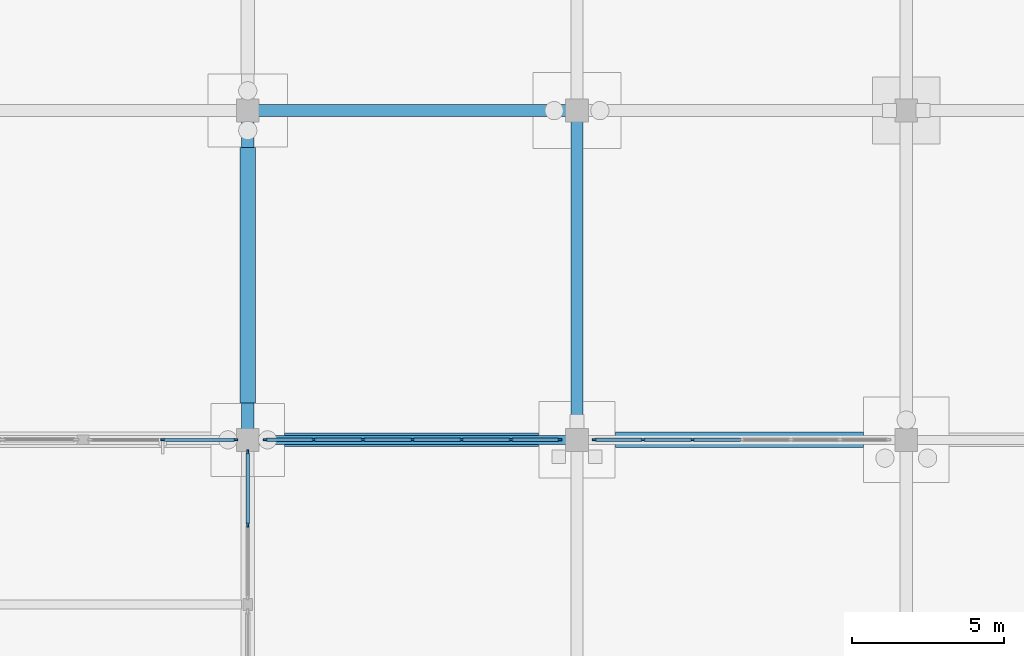
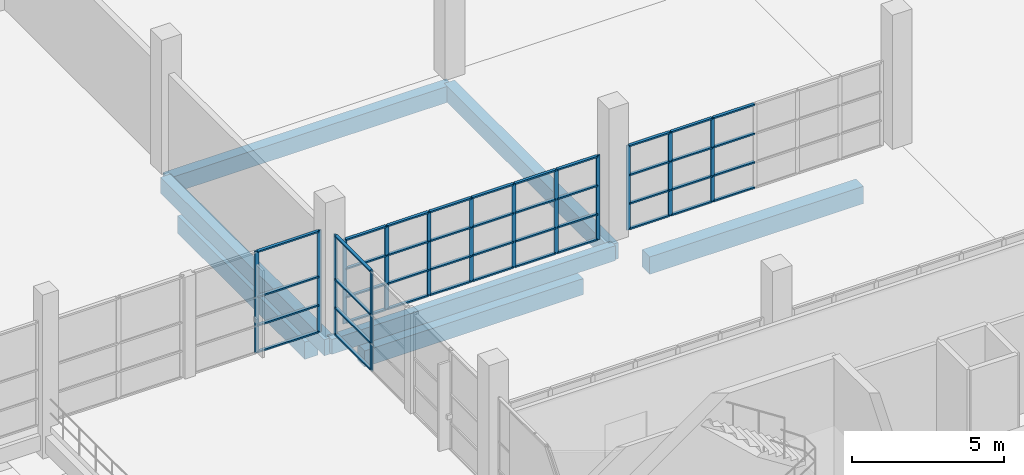
# One storey, part 49 of 138: 58 members, 7 beams, 4 elements without a shape of their own.
"""IFC4 building model written with IfcOpenShell, lengths in metres."""

from ifc_helpers import new_model, si_unit, direction, frame, origin, origin_2d, place, context, subcontext, project, spatial, rectangle, extrude, material, material_profile, profile_set, type_object, element, aggregate, save


model = new_model("IFC4")

# Units and contexts
model_context = context("Model", 3, precision=1e-05, world=origin(), true_north=direction((0.0, 1.0)))
body_context = subcontext(model_context, "Body", "Model", "MODEL_VIEW")
ifc_project = project(units=[si_unit("LENGTHUNIT", "METRE"), si_unit("AREAUNIT", "SQUARE_METRE"), si_unit("VOLUMEUNIT", "CUBIC_METRE"), si_unit("PLANEANGLEUNIT", "RADIAN"), si_unit("MASSUNIT", "GRAM", prefix="KILO")], contexts=[model_context])

# Site, building, storey
site_placement = place(None, origin())
site = spatial("IfcSite", under=ifc_project, at=site_placement, CompositionType="ELEMENT")
building_placement = place(site_placement, origin())
building = spatial("IfcBuilding", under=site, at=building_placement, Name="Zwinboog Wholesale Market", CompositionType="ELEMENT")
storey_placement = place(building_placement, origin())
storey = spatial("IfcBuildingStorey", under=building, at=storey_placement, Name="L00", CompositionType="ELEMENT", Elevation=0.0)

# Beams
ifc_material_1 = material(Name="Precast concrete C45/55", Category="concrete")
ifc_material_profile_1 = material_profile(ifc_material_1, rectangle(XDim=0.39990234375, YDim=0.64990234375, at=origin_2d()), Name="PC 400x650")
ifc_profile_set_1 = profile_set([ifc_material_profile_1], Name="Precast concrete C45/55")
beam_type_1 = type_object("IfcBeamType", Name="BT-05", PredefinedType="BEAM", material=ifc_profile_set_1)
for number, where, z_axis, x_axis, name in (
    (1, (64.800048828125, 75.60009765625, -0.719970703125), (1.0, 0.0, 0.0), (0.0, 1.0, 0.0), "BG-05 (BMG-L00-0648-0756-0105)"),
    (2, (64.800048828125, 64.800048828125, -0.719970703125), (0.0, 1.0, 0.0), (-1.0, 0.0, 0.0), "BG-05 (BMG-L00-0648-0648-0279)"),
    (3, (75.60009765625, 64.800048828125, -0.719970703125), (0.0, 1.0, 0.0), (-1.0, 0.0, 0.0), "BG-05 (BMG-L00-0756-0648-0287)"),
):
    element("IfcBeam", number, at=place(storey_placement, frame(where, z_axis=z_axis, x_axis=x_axis)), inside=storey, type_object=beam_type_1, Name=name, PredefinedType="BEAM", context=body_context, shape_type="SweptSolid", body=[
        extrude(rectangle(XDim=0.39990234375, YDim=0.64990234375, at=origin_2d()), origin(), (0.0, 0.0, 1.0), 10.800048828125),
    ])
ifc_material_profile_2 = material_profile(ifc_material_1, rectangle(XDim=0.300048828125, YDim=0.60009765625, at=origin_2d()), Name="PC 300x600")
ifc_profile_set_2 = profile_set([ifc_material_profile_2], Name="Precast concrete C45/55")
beam_type_2 = type_object("IfcBeamType", Name="BT-09", PredefinedType="SPANDREL", material=ifc_profile_set_2)
beam_1_placement = place(storey_placement, frame((64.800048828125, 64.800048828125, -0.6650390625), z_axis=(1.0, 0.0, 0.0), x_axis=(0.0, 1.0, 0.0)))
element("IfcBeam", 4, at=beam_1_placement, inside=storey, type_object=beam_type_2, Name="SP-02 (BMG-L00-0648-0648-0089)", PredefinedType="SPANDREL", context=body_context, shape_type="SweptSolid", body=[
    extrude(rectangle(XDim=0.300048828125, YDim=0.60009765625, at=origin_2d()), origin(), (0.0, 0.0, 1.0), 10.800048828125),
])
ifc_material_2 = material(Name="Concrete C35/45", Category="concrete")
ifc_material_profile_3 = material_profile(ifc_material_2, rectangle(XDim=0.5, YDim=0.699951171875, at=origin_2d()), Name="RC 500x700")
ifc_profile_set_3 = profile_set([ifc_material_profile_3], Name="Concrete C35/45")
beam_type_3 = type_object("IfcBeamType", Name="BT-12", PredefinedType="USERDEFINED", material=ifc_profile_set_3)
beam_2_placement = place(storey_placement, frame((76.85498046875, 64.800048828125, -1.550048828125), z_axis=(1.0, 0.0, 0.0), x_axis=(0.0, 1.0, 0.0)))
element("IfcBeam", 5, at=beam_2_placement, inside=storey, type_object=beam_type_3, Name="GB-01 (BM-GB-0057)", ObjectType="GROUND_BEAM", PredefinedType="USERDEFINED", context=body_context, shape_type="SweptSolid", body=[
    extrude(rectangle(XDim=0.5, YDim=0.699951171875, at=origin_2d()), origin(), (0.0, 0.0, 1.0), 8.14013671875),
])
beam_3_placement = place(storey_placement, frame((64.800048828125, 66.0048828125, -1.550048828125), z_axis=(0.0, 1.0, 0.0), x_axis=(-1.0, 0.0, 0.0)))
element("IfcBeam", 6, at=beam_3_placement, inside=storey, type_object=beam_type_3, Name="GB-01 (BM-GB-0154)", ObjectType="GROUND_BEAM", PredefinedType="USERDEFINED", context=body_context, shape_type="SweptSolid", body=[
    extrude(rectangle(XDim=0.5, YDim=0.699951171875, at=origin_2d()), origin(), (0.0, 0.0, 1.0), 8.39013671875),
])
ifc_material_profile_4 = material_profile(ifc_material_2, rectangle(XDim=0.449951171875, YDim=0.64990234375, at=origin_2d()), Name="RC 450x650")
ifc_profile_set_4 = profile_set([ifc_material_profile_4], Name="Concrete C35/45")
beam_type_4 = type_object("IfcBeamType", Name="BT-13", PredefinedType="USERDEFINED", material=ifc_profile_set_4)
beam_4_placement = place(storey_placement, frame((66.0048828125, 64.800048828125, -1.52490234375), z_axis=(1.0, 0.0, 0.0), x_axis=(0.0, 1.0, 0.0)))
element("IfcBeam", 7, at=beam_4_placement, inside=storey, type_object=beam_type_4, Name="GB-02 (BM-GB-0056)", ObjectType="GROUND_BEAM", PredefinedType="USERDEFINED", context=body_context, shape_type="SweptSolid", body=[
    extrude(rectangle(XDim=0.449951171875, YDim=0.64990234375, at=origin_2d()), origin(), (0.0, 0.0, 1.0), 8.340087890625),
])

# Curtain wall, members
ifc_material_3 = material(Name="Aluminium thermally broken curtain wall", Category="aluminium")
curtain_wall_type_1 = type_object("IfcCurtainWallType", Name="CWT-OFF-15", PredefinedType="USERDEFINED", material=ifc_material_3)
curtain_wall_1_placement = place(storey_placement, origin())
curtain_wall_1 = element("IfcCurtainWall", 8, at=curtain_wall_1_placement, inside=storey, type_object=curtain_wall_type_1, Name="CW-06 (CW-L00-030)", ObjectType="UNITIZED_CURTAIN_WALL", PredefinedType="USERDEFINED")
ifc_material_4 = material(Name="Aluminium EN AW-6060", Category="aluminium")
ifc_material_profile_5 = material_profile(ifc_material_4, rectangle(XDim=0.06005859375, YDim=0.14990234375, at=origin_2d()), Name="AL 60x150")
ifc_profile_set_5 = profile_set([ifc_material_profile_5], Name="Aluminium EN AW-6060")
member_type_1 = type_object("IfcMemberType", Name="CWM-60x150", PredefinedType="MULLION", material=ifc_profile_set_5)
member_1_placement = place(storey_placement, frame((62.014892578125, 64.800048828125, 0.0), z_axis=(0.0, 0.0, 1.0), x_axis=(0.0, 1.0, 0.0)))
member_1 = element("IfcMember", 9, at=member_1_placement, type_object=member_type_1, Name="CW-06 mullion 2", PredefinedType="MULLION", context=body_context, shape_type="SweptSolid", body=[
    extrude(rectangle(XDim=0.06005859375, YDim=0.14990234375, at=origin_2d()), origin(), (0.0, 0.0, 1.0), 4.097900390625),
])
member_2_placement = place(storey_placement, frame((64.39990234375, 64.800048828125, 0.0), z_axis=(0.0, 0.0, 1.0), x_axis=(0.0, 1.0, 0.0)))
member_2 = element("IfcMember", 10, at=member_2_placement, type_object=member_type_1, Name="CW-06 mullion 3", PredefinedType="MULLION", context=body_context, shape_type="SweptSolid", body=[
    extrude(rectangle(XDim=0.06005859375, YDim=0.14990234375, at=origin_2d()), origin(), (0.0, 0.0, 1.0), 4.097900390625),
])

curtain_wall_type_2 = type_object("IfcCurtainWallType", Name="CWT-GAL-16", PredefinedType="USERDEFINED", material=ifc_material_3)
curtain_wall_2_placement = place(storey_placement, origin())
curtain_wall_2 = element("IfcCurtainWall", 11, at=curtain_wall_2_placement, inside=storey, type_object=curtain_wall_type_2, Name="CW-04 (CW-L00-034)", ObjectType="UNITIZED_CURTAIN_WALL", PredefinedType="USERDEFINED")
member_3_placement = place(storey_placement, frame((64.800048828125, 62.014892578125, 0.0), z_axis=(0.0, 0.0, 1.0), x_axis=(-1.0, 0.0, 0.0)))
member_3 = element("IfcMember", 12, at=member_3_placement, type_object=member_type_1, Name="CW-04 mullion 2", PredefinedType="MULLION", context=body_context, shape_type="SweptSolid", body=[
    extrude(rectangle(XDim=0.06005859375, YDim=0.14990234375, at=origin_2d()), origin(), (0.0, 0.0, 1.0), 4.02490234375),
])
member_4_placement = place(storey_placement, frame((64.800048828125, 64.39990234375, 0.0), z_axis=(0.0, 0.0, 1.0), x_axis=(-1.0, 0.0, 0.0)))
member_4 = element("IfcMember", 13, at=member_4_placement, type_object=member_type_1, Name="CW-04 mullion 3", PredefinedType="MULLION", context=body_context, shape_type="SweptSolid", body=[
    extrude(rectangle(XDim=0.06005859375, YDim=0.14990234375, at=origin_2d()), origin(), (0.0, 0.0, 1.0), 4.02490234375),
])

# Member
ifc_material_profile_6 = material_profile(ifc_material_4, rectangle(XDim=0.110107421875, YDim=0.06005859375, at=origin_2d()), Name="AL 60x110")
ifc_profile_set_6 = profile_set([ifc_material_profile_6], Name="Aluminium EN AW-6060")
member_type_2 = type_object("IfcMemberType", Name="CWT-60x110", PredefinedType="USERDEFINED", material=ifc_profile_set_6)
member_5_placement = place(storey_placement, frame((62.044921875, 64.800048828125, 0.030029296875), z_axis=(1.0, 0.0, 0.0), x_axis=(0.0, 1.0, 0.0)))
member_5 = element("IfcMember", 14, at=member_5_placement, type_object=member_type_2, Name="CW-06 transom 2.1", ObjectType="TRANSOM", PredefinedType="USERDEFINED", context=body_context, shape_type="SweptSolid", body=[
    extrude(rectangle(XDim=0.110107421875, YDim=0.06005859375, at=origin_2d()), origin(), (0.0, 0.0, 1.0), 2.3251953125),
])

member_6_placement = place(storey_placement, frame((62.044921875, 64.800048828125, 1.10009765625), z_axis=(1.0, 0.0, 0.0), x_axis=(0.0, 1.0, 0.0)))
member_6 = element("IfcMember", 15, at=member_6_placement, type_object=member_type_2, Name="CW-06 transom 2.2", ObjectType="TRANSOM", PredefinedType="USERDEFINED", context=body_context, shape_type="SweptSolid", body=[
    extrude(rectangle(XDim=0.110107421875, YDim=0.06005859375, at=origin_2d()), origin(), (0.0, 0.0, 1.0), 2.3251953125),
])

member_7_placement = place(storey_placement, frame((62.044921875, 64.800048828125, 2.25), z_axis=(1.0, 0.0, 0.0), x_axis=(0.0, 1.0, 0.0)))
member_7 = element("IfcMember", 16, at=member_7_placement, type_object=member_type_2, Name="CW-06 transom 2.3", ObjectType="TRANSOM", PredefinedType="USERDEFINED", context=body_context, shape_type="SweptSolid", body=[
    extrude(rectangle(XDim=0.110107421875, YDim=0.06005859375, at=origin_2d()), origin(), (0.0, 0.0, 1.0), 2.3251953125),
])

member_8_placement = place(storey_placement, frame((62.044921875, 64.800048828125, 4.068115234375), z_axis=(1.0, 0.0, 0.0), x_axis=(0.0, 1.0, 0.0)))
member_8 = element("IfcMember", 17, at=member_8_placement, type_object=member_type_2, Name="CW-06 transom 2.4", ObjectType="TRANSOM", PredefinedType="USERDEFINED", context=body_context, shape_type="SweptSolid", body=[
    extrude(rectangle(XDim=0.110107421875, YDim=0.06005859375, at=origin_2d()), origin(), (0.0, 0.0, 1.0), 2.3251953125),
])

aggregate(curtain_wall_1, [member_1, member_2, member_5, member_6, member_7, member_8])

member_9_placement = place(storey_placement, frame((64.800048828125, 62.044921875, 0.030029296875), z_axis=(0.0, 1.0, 0.0), x_axis=(-1.0, 0.0, 0.0)))
member_9 = element("IfcMember", 18, at=member_9_placement, type_object=member_type_2, Name="CW-04 transom 2.1", ObjectType="TRANSOM", PredefinedType="USERDEFINED", context=body_context, shape_type="SweptSolid", body=[
    extrude(rectangle(XDim=0.110107421875, YDim=0.06005859375, at=origin_2d()), origin(), (0.0, 0.0, 1.0), 2.3251953125),
])

member_10_placement = place(storey_placement, frame((64.800048828125, 62.044921875, 1.10009765625), z_axis=(0.0, 1.0, 0.0), x_axis=(-1.0, 0.0, 0.0)))
member_10 = element("IfcMember", 19, at=member_10_placement, type_object=member_type_2, Name="CW-04 transom 2.2", ObjectType="TRANSOM", PredefinedType="USERDEFINED", context=body_context, shape_type="SweptSolid", body=[
    extrude(rectangle(XDim=0.110107421875, YDim=0.06005859375, at=origin_2d()), origin(), (0.0, 0.0, 1.0), 2.3251953125),
])

member_11_placement = place(storey_placement, frame((64.800048828125, 62.044921875, 2.25), z_axis=(0.0, 1.0, 0.0), x_axis=(-1.0, 0.0, 0.0)))
member_11 = element("IfcMember", 20, at=member_11_placement, type_object=member_type_2, Name="CW-04 transom 2.3", ObjectType="TRANSOM", PredefinedType="USERDEFINED", context=body_context, shape_type="SweptSolid", body=[
    extrude(rectangle(XDim=0.110107421875, YDim=0.06005859375, at=origin_2d()), origin(), (0.0, 0.0, 1.0), 2.3251953125),
])

member_12_placement = place(storey_placement, frame((64.800048828125, 62.044921875, 3.9951171875), z_axis=(0.0, 1.0, 0.0), x_axis=(-1.0, 0.0, 0.0)))
member_12 = element("IfcMember", 21, at=member_12_placement, type_object=member_type_2, Name="CW-04 transom 2.4", ObjectType="TRANSOM", PredefinedType="USERDEFINED", context=body_context, shape_type="SweptSolid", body=[
    extrude(rectangle(XDim=0.110107421875, YDim=0.06005859375, at=origin_2d()), origin(), (0.0, 0.0, 1.0), 2.3251953125),
])

aggregate(curtain_wall_2, [member_3, member_4, member_9, member_10, member_11, member_12])

# Curtain wall, members
curtain_wall_type_3 = type_object("IfcCurtainWallType", Name="CWT-INT-STALL", PredefinedType="USERDEFINED", material=ifc_material_3)
curtain_wall_3_placement = place(storey_placement, origin())
curtain_wall_3 = element("IfcCurtainWall", 22, at=curtain_wall_3_placement, inside=storey, type_object=curtain_wall_type_3, Name="CW-07 (CW-STL-191)", ObjectType="STOREFRONT_GLAZING", PredefinedType="USERDEFINED")
ifc_material_profile_7 = material_profile(ifc_material_4, rectangle(XDim=0.06005859375, YDim=0.14990234375, at=origin_2d()), Name="AL 60x150")
ifc_profile_set_7 = profile_set([ifc_material_profile_7], Name="Aluminium EN AW-6060")
member_type_3 = type_object("IfcMemberType", Name="CWM-INT-60x120", PredefinedType="MULLION", material=ifc_profile_set_7)
member_13_placement = place(storey_placement, frame((65.3798828125, 64.800048828125, 0.0), z_axis=(0.0, 0.0, 1.0), x_axis=(0.0, 1.0, 0.0)))
member_13 = element("IfcMember", 23, at=member_13_placement, type_object=member_type_3, Name="CW-07 mullion 1", PredefinedType="MULLION", context=body_context, shape_type="SweptSolid", body=[
    extrude(rectangle(XDim=0.06005859375, YDim=0.14990234375, at=origin_2d()), origin(), (0.0, 0.0, 1.0), 3.39990234375),
])
member_14_placement = place(storey_placement, frame((66.966552734375, 64.800048828125, 0.0), z_axis=(0.0, 0.0, 1.0), x_axis=(0.0, 1.0, 0.0)))
member_14 = element("IfcMember", 24, at=member_14_placement, type_object=member_type_3, Name="CW-07 mullion 2", PredefinedType="MULLION", context=body_context, shape_type="SweptSolid", body=[
    extrude(rectangle(XDim=0.06005859375, YDim=0.14990234375, at=origin_2d()), origin(), (0.0, 0.0, 1.0), 3.39990234375),
])
member_15_placement = place(storey_placement, frame((68.583251953125, 64.800048828125, 0.0), z_axis=(0.0, 0.0, 1.0), x_axis=(0.0, 1.0, 0.0)))
member_15 = element("IfcMember", 25, at=member_15_placement, type_object=member_type_3, Name="CW-07 mullion 3", PredefinedType="MULLION", context=body_context, shape_type="SweptSolid", body=[
    extrude(rectangle(XDim=0.06005859375, YDim=0.14990234375, at=origin_2d()), origin(), (0.0, 0.0, 1.0), 3.39990234375),
])
member_16_placement = place(storey_placement, frame((70.199951171875, 64.800048828125, 0.0), z_axis=(0.0, 0.0, 1.0), x_axis=(0.0, 1.0, 0.0)))
member_16 = element("IfcMember", 26, at=member_16_placement, type_object=member_type_3, Name="CW-07 mullion 4", PredefinedType="MULLION", context=body_context, shape_type="SweptSolid", body=[
    extrude(rectangle(XDim=0.06005859375, YDim=0.14990234375, at=origin_2d()), origin(), (0.0, 0.0, 1.0), 3.39990234375),
])
member_17_placement = place(storey_placement, frame((71.816650390625, 64.800048828125, 0.0), z_axis=(0.0, 0.0, 1.0), x_axis=(0.0, 1.0, 0.0)))
member_17 = element("IfcMember", 27, at=member_17_placement, type_object=member_type_3, Name="CW-07 mullion 5", PredefinedType="MULLION", context=body_context, shape_type="SweptSolid", body=[
    extrude(rectangle(XDim=0.06005859375, YDim=0.14990234375, at=origin_2d()), origin(), (0.0, 0.0, 1.0), 3.39990234375),
])
member_18_placement = place(storey_placement, frame((73.433349609375, 64.800048828125, 0.0), z_axis=(0.0, 0.0, 1.0), x_axis=(0.0, 1.0, 0.0)))
member_18 = element("IfcMember", 28, at=member_18_placement, type_object=member_type_3, Name="CW-07 mullion 6", PredefinedType="MULLION", context=body_context, shape_type="SweptSolid", body=[
    extrude(rectangle(XDim=0.06005859375, YDim=0.14990234375, at=origin_2d()), origin(), (0.0, 0.0, 1.0), 3.39990234375),
])
member_19_placement = place(storey_placement, frame((75.02001953125, 64.800048828125, 0.0), z_axis=(0.0, 0.0, 1.0), x_axis=(0.0, 1.0, 0.0)))
member_19 = element("IfcMember", 29, at=member_19_placement, type_object=member_type_3, Name="CW-07 mullion 7", PredefinedType="MULLION", context=body_context, shape_type="SweptSolid", body=[
    extrude(rectangle(XDim=0.06005859375, YDim=0.14990234375, at=origin_2d()), origin(), (0.0, 0.0, 1.0), 3.39990234375),
])

curtain_wall_4_placement = place(storey_placement, origin())
curtain_wall_4 = element("IfcCurtainWall", 30, at=curtain_wall_4_placement, inside=storey, type_object=curtain_wall_type_3, Name="CW-07 (CW-STL-192)", ObjectType="STOREFRONT_GLAZING", PredefinedType="USERDEFINED")
member_20_placement = place(storey_placement, frame((76.179931640625, 64.800048828125, 0.0), z_axis=(0.0, 0.0, 1.0), x_axis=(0.0, 1.0, 0.0)))
member_20 = element("IfcMember", 31, at=member_20_placement, type_object=member_type_3, Name="CW-07 mullion 1", PredefinedType="MULLION", context=body_context, shape_type="SweptSolid", body=[
    extrude(rectangle(XDim=0.06005859375, YDim=0.14990234375, at=origin_2d()), origin(), (0.0, 0.0, 1.0), 3.39990234375),
])
member_21_placement = place(storey_placement, frame((77.7666015625, 64.800048828125, 0.0), z_axis=(0.0, 0.0, 1.0), x_axis=(0.0, 1.0, 0.0)))
member_21 = element("IfcMember", 32, at=member_21_placement, type_object=member_type_3, Name="CW-07 mullion 2", PredefinedType="MULLION", context=body_context, shape_type="SweptSolid", body=[
    extrude(rectangle(XDim=0.06005859375, YDim=0.14990234375, at=origin_2d()), origin(), (0.0, 0.0, 1.0), 3.39990234375),
])
member_22_placement = place(storey_placement, frame((79.38330078125, 64.800048828125, 0.0), z_axis=(0.0, 0.0, 1.0), x_axis=(0.0, 1.0, 0.0)))
member_22 = element("IfcMember", 33, at=member_22_placement, type_object=member_type_3, Name="CW-07 mullion 3", PredefinedType="MULLION", context=body_context, shape_type="SweptSolid", body=[
    extrude(rectangle(XDim=0.06005859375, YDim=0.14990234375, at=origin_2d()), origin(), (0.0, 0.0, 1.0), 3.39990234375),
])

# Member
ifc_material_profile_8 = material_profile(ifc_material_4, rectangle(XDim=0.110107421875, YDim=0.06005859375, at=origin_2d()), Name="AL 60x110")
ifc_profile_set_8 = profile_set([ifc_material_profile_8], Name="Aluminium EN AW-6060")
member_type_4 = type_object("IfcMemberType", Name="CWT-INT-60x100", PredefinedType="USERDEFINED", material=ifc_profile_set_8)
member_23_placement = place(storey_placement, frame((65.409912109375, 64.800048828125, 0.030029296875), z_axis=(1.0, 0.0, 0.0), x_axis=(0.0, 1.0, 0.0)))
member_23 = element("IfcMember", 34, at=member_23_placement, type_object=member_type_4, Name="CW-07 transom 1.1", ObjectType="TRANSOM", PredefinedType="USERDEFINED", context=body_context, shape_type="SweptSolid", body=[
    extrude(rectangle(XDim=0.110107421875, YDim=0.06005859375, at=origin_2d()), origin(), (0.0, 0.0, 1.0), 1.52685546875),
])

member_24_placement = place(storey_placement, frame((65.409912109375, 64.800048828125, 1.050048828125), z_axis=(1.0, 0.0, 0.0), x_axis=(0.0, 1.0, 0.0)))
member_24 = element("IfcMember", 35, at=member_24_placement, type_object=member_type_4, Name="CW-07 transom 1.2", ObjectType="TRANSOM", PredefinedType="USERDEFINED", context=body_context, shape_type="SweptSolid", body=[
    extrude(rectangle(XDim=0.110107421875, YDim=0.06005859375, at=origin_2d()), origin(), (0.0, 0.0, 1.0), 1.52685546875),
])

member_25_placement = place(storey_placement, frame((65.409912109375, 64.800048828125, 2.199951171875), z_axis=(1.0, 0.0, 0.0), x_axis=(0.0, 1.0, 0.0)))
member_25 = element("IfcMember", 36, at=member_25_placement, type_object=member_type_4, Name="CW-07 transom 1.3", ObjectType="TRANSOM", PredefinedType="USERDEFINED", context=body_context, shape_type="SweptSolid", body=[
    extrude(rectangle(XDim=0.110107421875, YDim=0.06005859375, at=origin_2d()), origin(), (0.0, 0.0, 1.0), 1.52685546875),
])

member_26_placement = place(storey_placement, frame((65.409912109375, 64.800048828125, 3.3701171875), z_axis=(1.0, 0.0, 0.0), x_axis=(0.0, 1.0, 0.0)))
member_26 = element("IfcMember", 37, at=member_26_placement, type_object=member_type_4, Name="CW-07 transom 1.4", ObjectType="TRANSOM", PredefinedType="USERDEFINED", context=body_context, shape_type="SweptSolid", body=[
    extrude(rectangle(XDim=0.110107421875, YDim=0.06005859375, at=origin_2d()), origin(), (0.0, 0.0, 1.0), 1.52685546875),
])

member_27_placement = place(storey_placement, frame((66.99658203125, 64.800048828125, 0.030029296875), z_axis=(1.0, 0.0, 0.0), x_axis=(0.0, 1.0, 0.0)))
member_27 = element("IfcMember", 38, at=member_27_placement, type_object=member_type_4, Name="CW-07 transom 2.1", ObjectType="TRANSOM", PredefinedType="USERDEFINED", context=body_context, shape_type="SweptSolid", body=[
    extrude(rectangle(XDim=0.110107421875, YDim=0.06005859375, at=origin_2d()), origin(), (0.0, 0.0, 1.0), 1.556640625),
])

member_28_placement = place(storey_placement, frame((66.99658203125, 64.800048828125, 1.050048828125), z_axis=(1.0, 0.0, 0.0), x_axis=(0.0, 1.0, 0.0)))
member_28 = element("IfcMember", 39, at=member_28_placement, type_object=member_type_4, Name="CW-07 transom 2.2", ObjectType="TRANSOM", PredefinedType="USERDEFINED", context=body_context, shape_type="SweptSolid", body=[
    extrude(rectangle(XDim=0.110107421875, YDim=0.06005859375, at=origin_2d()), origin(), (0.0, 0.0, 1.0), 1.556640625),
])

member_29_placement = place(storey_placement, frame((66.99658203125, 64.800048828125, 2.199951171875), z_axis=(1.0, 0.0, 0.0), x_axis=(0.0, 1.0, 0.0)))
member_29 = element("IfcMember", 40, at=member_29_placement, type_object=member_type_4, Name="CW-07 transom 2.3", ObjectType="TRANSOM", PredefinedType="USERDEFINED", context=body_context, shape_type="SweptSolid", body=[
    extrude(rectangle(XDim=0.110107421875, YDim=0.06005859375, at=origin_2d()), origin(), (0.0, 0.0, 1.0), 1.556640625),
])

member_30_placement = place(storey_placement, frame((66.99658203125, 64.800048828125, 3.3701171875), z_axis=(1.0, 0.0, 0.0), x_axis=(0.0, 1.0, 0.0)))
member_30 = element("IfcMember", 41, at=member_30_placement, type_object=member_type_4, Name="CW-07 transom 2.4", ObjectType="TRANSOM", PredefinedType="USERDEFINED", context=body_context, shape_type="SweptSolid", body=[
    extrude(rectangle(XDim=0.110107421875, YDim=0.06005859375, at=origin_2d()), origin(), (0.0, 0.0, 1.0), 1.556640625),
])

member_31_placement = place(storey_placement, frame((68.61328125, 64.800048828125, 0.030029296875), z_axis=(1.0, 0.0, 0.0), x_axis=(0.0, 1.0, 0.0)))
member_31 = element("IfcMember", 42, at=member_31_placement, type_object=member_type_4, Name="CW-07 transom 3.1", ObjectType="TRANSOM", PredefinedType="USERDEFINED", context=body_context, shape_type="SweptSolid", body=[
    extrude(rectangle(XDim=0.110107421875, YDim=0.06005859375, at=origin_2d()), origin(), (0.0, 0.0, 1.0), 1.556640625),
])

member_32_placement = place(storey_placement, frame((68.61328125, 64.800048828125, 1.050048828125), z_axis=(1.0, 0.0, 0.0), x_axis=(0.0, 1.0, 0.0)))
member_32 = element("IfcMember", 43, at=member_32_placement, type_object=member_type_4, Name="CW-07 transom 3.2", ObjectType="TRANSOM", PredefinedType="USERDEFINED", context=body_context, shape_type="SweptSolid", body=[
    extrude(rectangle(XDim=0.110107421875, YDim=0.06005859375, at=origin_2d()), origin(), (0.0, 0.0, 1.0), 1.556640625),
])

member_33_placement = place(storey_placement, frame((68.61328125, 64.800048828125, 2.199951171875), z_axis=(1.0, 0.0, 0.0), x_axis=(0.0, 1.0, 0.0)))
member_33 = element("IfcMember", 44, at=member_33_placement, type_object=member_type_4, Name="CW-07 transom 3.3", ObjectType="TRANSOM", PredefinedType="USERDEFINED", context=body_context, shape_type="SweptSolid", body=[
    extrude(rectangle(XDim=0.110107421875, YDim=0.06005859375, at=origin_2d()), origin(), (0.0, 0.0, 1.0), 1.556640625),
])

member_34_placement = place(storey_placement, frame((68.61328125, 64.800048828125, 3.3701171875), z_axis=(1.0, 0.0, 0.0), x_axis=(0.0, 1.0, 0.0)))
member_34 = element("IfcMember", 45, at=member_34_placement, type_object=member_type_4, Name="CW-07 transom 3.4", ObjectType="TRANSOM", PredefinedType="USERDEFINED", context=body_context, shape_type="SweptSolid", body=[
    extrude(rectangle(XDim=0.110107421875, YDim=0.06005859375, at=origin_2d()), origin(), (0.0, 0.0, 1.0), 1.556640625),
])

member_35_placement = place(storey_placement, frame((70.22998046875, 64.800048828125, 0.030029296875), z_axis=(1.0, 0.0, 0.0), x_axis=(0.0, 1.0, 0.0)))
member_35 = element("IfcMember", 46, at=member_35_placement, type_object=member_type_4, Name="CW-07 transom 4.1", ObjectType="TRANSOM", PredefinedType="USERDEFINED", context=body_context, shape_type="SweptSolid", body=[
    extrude(rectangle(XDim=0.110107421875, YDim=0.06005859375, at=origin_2d()), origin(), (0.0, 0.0, 1.0), 1.556640625),
])

member_36_placement = place(storey_placement, frame((70.22998046875, 64.800048828125, 1.050048828125), z_axis=(1.0, 0.0, 0.0), x_axis=(0.0, 1.0, 0.0)))
member_36 = element("IfcMember", 47, at=member_36_placement, type_object=member_type_4, Name="CW-07 transom 4.2", ObjectType="TRANSOM", PredefinedType="USERDEFINED", context=body_context, shape_type="SweptSolid", body=[
    extrude(rectangle(XDim=0.110107421875, YDim=0.06005859375, at=origin_2d()), origin(), (0.0, 0.0, 1.0), 1.556640625),
])

member_37_placement = place(storey_placement, frame((70.22998046875, 64.800048828125, 2.199951171875), z_axis=(1.0, 0.0, 0.0), x_axis=(0.0, 1.0, 0.0)))
member_37 = element("IfcMember", 48, at=member_37_placement, type_object=member_type_4, Name="CW-07 transom 4.3", ObjectType="TRANSOM", PredefinedType="USERDEFINED", context=body_context, shape_type="SweptSolid", body=[
    extrude(rectangle(XDim=0.110107421875, YDim=0.06005859375, at=origin_2d()), origin(), (0.0, 0.0, 1.0), 1.556640625),
])

member_38_placement = place(storey_placement, frame((70.22998046875, 64.800048828125, 3.3701171875), z_axis=(1.0, 0.0, 0.0), x_axis=(0.0, 1.0, 0.0)))
member_38 = element("IfcMember", 49, at=member_38_placement, type_object=member_type_4, Name="CW-07 transom 4.4", ObjectType="TRANSOM", PredefinedType="USERDEFINED", context=body_context, shape_type="SweptSolid", body=[
    extrude(rectangle(XDim=0.110107421875, YDim=0.06005859375, at=origin_2d()), origin(), (0.0, 0.0, 1.0), 1.556640625),
])

member_39_placement = place(storey_placement, frame((71.8466796875, 64.800048828125, 0.030029296875), z_axis=(1.0, 0.0, 0.0), x_axis=(0.0, 1.0, 0.0)))
member_39 = element("IfcMember", 50, at=member_39_placement, type_object=member_type_4, Name="CW-07 transom 5.1", ObjectType="TRANSOM", PredefinedType="USERDEFINED", context=body_context, shape_type="SweptSolid", body=[
    extrude(rectangle(XDim=0.110107421875, YDim=0.06005859375, at=origin_2d()), origin(), (0.0, 0.0, 1.0), 1.556640625),
])

member_40_placement = place(storey_placement, frame((71.8466796875, 64.800048828125, 1.050048828125), z_axis=(1.0, 0.0, 0.0), x_axis=(0.0, 1.0, 0.0)))
member_40 = element("IfcMember", 51, at=member_40_placement, type_object=member_type_4, Name="CW-07 transom 5.2", ObjectType="TRANSOM", PredefinedType="USERDEFINED", context=body_context, shape_type="SweptSolid", body=[
    extrude(rectangle(XDim=0.110107421875, YDim=0.06005859375, at=origin_2d()), origin(), (0.0, 0.0, 1.0), 1.556640625),
])

member_41_placement = place(storey_placement, frame((71.8466796875, 64.800048828125, 2.199951171875), z_axis=(1.0, 0.0, 0.0), x_axis=(0.0, 1.0, 0.0)))
member_41 = element("IfcMember", 52, at=member_41_placement, type_object=member_type_4, Name="CW-07 transom 5.3", ObjectType="TRANSOM", PredefinedType="USERDEFINED", context=body_context, shape_type="SweptSolid", body=[
    extrude(rectangle(XDim=0.110107421875, YDim=0.06005859375, at=origin_2d()), origin(), (0.0, 0.0, 1.0), 1.556640625),
])

member_42_placement = place(storey_placement, frame((71.8466796875, 64.800048828125, 3.3701171875), z_axis=(1.0, 0.0, 0.0), x_axis=(0.0, 1.0, 0.0)))
member_42 = element("IfcMember", 53, at=member_42_placement, type_object=member_type_4, Name="CW-07 transom 5.4", ObjectType="TRANSOM", PredefinedType="USERDEFINED", context=body_context, shape_type="SweptSolid", body=[
    extrude(rectangle(XDim=0.110107421875, YDim=0.06005859375, at=origin_2d()), origin(), (0.0, 0.0, 1.0), 1.556640625),
])

member_43_placement = place(storey_placement, frame((73.46337890625, 64.800048828125, 0.030029296875), z_axis=(1.0, 0.0, 0.0), x_axis=(0.0, 1.0, 0.0)))
member_43 = element("IfcMember", 54, at=member_43_placement, type_object=member_type_4, Name="CW-07 transom 6.1", ObjectType="TRANSOM", PredefinedType="USERDEFINED", context=body_context, shape_type="SweptSolid", body=[
    extrude(rectangle(XDim=0.110107421875, YDim=0.06005859375, at=origin_2d()), origin(), (0.0, 0.0, 1.0), 1.526611328125),
])

member_44_placement = place(storey_placement, frame((73.46337890625, 64.800048828125, 1.050048828125), z_axis=(1.0, 0.0, 0.0), x_axis=(0.0, 1.0, 0.0)))
member_44 = element("IfcMember", 55, at=member_44_placement, type_object=member_type_4, Name="CW-07 transom 6.2", ObjectType="TRANSOM", PredefinedType="USERDEFINED", context=body_context, shape_type="SweptSolid", body=[
    extrude(rectangle(XDim=0.110107421875, YDim=0.06005859375, at=origin_2d()), origin(), (0.0, 0.0, 1.0), 1.526611328125),
])

member_45_placement = place(storey_placement, frame((73.46337890625, 64.800048828125, 2.199951171875), z_axis=(1.0, 0.0, 0.0), x_axis=(0.0, 1.0, 0.0)))
member_45 = element("IfcMember", 56, at=member_45_placement, type_object=member_type_4, Name="CW-07 transom 6.3", ObjectType="TRANSOM", PredefinedType="USERDEFINED", context=body_context, shape_type="SweptSolid", body=[
    extrude(rectangle(XDim=0.110107421875, YDim=0.06005859375, at=origin_2d()), origin(), (0.0, 0.0, 1.0), 1.526611328125),
])

member_46_placement = place(storey_placement, frame((73.46337890625, 64.800048828125, 3.3701171875), z_axis=(1.0, 0.0, 0.0), x_axis=(0.0, 1.0, 0.0)))
member_46 = element("IfcMember", 57, at=member_46_placement, type_object=member_type_4, Name="CW-07 transom 6.4", ObjectType="TRANSOM", PredefinedType="USERDEFINED", context=body_context, shape_type="SweptSolid", body=[
    extrude(rectangle(XDim=0.110107421875, YDim=0.06005859375, at=origin_2d()), origin(), (0.0, 0.0, 1.0), 1.526611328125),
])

aggregate(curtain_wall_3, [member_13, member_14, member_15, member_16, member_17, member_18, member_19, member_23, member_24, member_25, member_26, member_27, member_28, member_29, member_30, member_31, member_32, member_33, member_34, member_35, member_36, member_37, member_38, member_39, member_40, member_41, member_42, member_43, member_44, member_45, member_46])

member_47_placement = place(storey_placement, frame((76.2099609375, 64.800048828125, 0.030029296875), z_axis=(1.0, 0.0, 0.0), x_axis=(0.0, 1.0, 0.0)))
member_47 = element("IfcMember", 58, at=member_47_placement, type_object=member_type_4, Name="CW-07 transom 1.1", ObjectType="TRANSOM", PredefinedType="USERDEFINED", context=body_context, shape_type="SweptSolid", body=[
    extrude(rectangle(XDim=0.110107421875, YDim=0.06005859375, at=origin_2d()), origin(), (0.0, 0.0, 1.0), 1.526611328125),
])

member_48_placement = place(storey_placement, frame((76.2099609375, 64.800048828125, 1.050048828125), z_axis=(1.0, 0.0, 0.0), x_axis=(0.0, 1.0, 0.0)))
member_48 = element("IfcMember", 59, at=member_48_placement, type_object=member_type_4, Name="CW-07 transom 1.2", ObjectType="TRANSOM", PredefinedType="USERDEFINED", context=body_context, shape_type="SweptSolid", body=[
    extrude(rectangle(XDim=0.110107421875, YDim=0.06005859375, at=origin_2d()), origin(), (0.0, 0.0, 1.0), 1.526611328125),
])

member_49_placement = place(storey_placement, frame((76.2099609375, 64.800048828125, 2.199951171875), z_axis=(1.0, 0.0, 0.0), x_axis=(0.0, 1.0, 0.0)))
member_49 = element("IfcMember", 60, at=member_49_placement, type_object=member_type_4, Name="CW-07 transom 1.3", ObjectType="TRANSOM", PredefinedType="USERDEFINED", context=body_context, shape_type="SweptSolid", body=[
    extrude(rectangle(XDim=0.110107421875, YDim=0.06005859375, at=origin_2d()), origin(), (0.0, 0.0, 1.0), 1.526611328125),
])

member_50_placement = place(storey_placement, frame((76.2099609375, 64.800048828125, 3.3701171875), z_axis=(1.0, 0.0, 0.0), x_axis=(0.0, 1.0, 0.0)))
member_50 = element("IfcMember", 61, at=member_50_placement, type_object=member_type_4, Name="CW-07 transom 1.4", ObjectType="TRANSOM", PredefinedType="USERDEFINED", context=body_context, shape_type="SweptSolid", body=[
    extrude(rectangle(XDim=0.110107421875, YDim=0.06005859375, at=origin_2d()), origin(), (0.0, 0.0, 1.0), 1.526611328125),
])

member_51_placement = place(storey_placement, frame((77.796630859375, 64.800048828125, 0.030029296875), z_axis=(1.0, 0.0, 0.0), x_axis=(0.0, 1.0, 0.0)))
member_51 = element("IfcMember", 62, at=member_51_placement, type_object=member_type_4, Name="CW-07 transom 2.1", ObjectType="TRANSOM", PredefinedType="USERDEFINED", context=body_context, shape_type="SweptSolid", body=[
    extrude(rectangle(XDim=0.110107421875, YDim=0.06005859375, at=origin_2d()), origin(), (0.0, 0.0, 1.0), 1.556640625),
])

member_52_placement = place(storey_placement, frame((77.796630859375, 64.800048828125, 1.050048828125), z_axis=(1.0, 0.0, 0.0), x_axis=(0.0, 1.0, 0.0)))
member_52 = element("IfcMember", 63, at=member_52_placement, type_object=member_type_4, Name="CW-07 transom 2.2", ObjectType="TRANSOM", PredefinedType="USERDEFINED", context=body_context, shape_type="SweptSolid", body=[
    extrude(rectangle(XDim=0.110107421875, YDim=0.06005859375, at=origin_2d()), origin(), (0.0, 0.0, 1.0), 1.556640625),
])

member_53_placement = place(storey_placement, frame((77.796630859375, 64.800048828125, 2.199951171875), z_axis=(1.0, 0.0, 0.0), x_axis=(0.0, 1.0, 0.0)))
member_53 = element("IfcMember", 64, at=member_53_placement, type_object=member_type_4, Name="CW-07 transom 2.3", ObjectType="TRANSOM", PredefinedType="USERDEFINED", context=body_context, shape_type="SweptSolid", body=[
    extrude(rectangle(XDim=0.110107421875, YDim=0.06005859375, at=origin_2d()), origin(), (0.0, 0.0, 1.0), 1.556640625),
])

member_54_placement = place(storey_placement, frame((77.796630859375, 64.800048828125, 3.3701171875), z_axis=(1.0, 0.0, 0.0), x_axis=(0.0, 1.0, 0.0)))
member_54 = element("IfcMember", 65, at=member_54_placement, type_object=member_type_4, Name="CW-07 transom 2.4", ObjectType="TRANSOM", PredefinedType="USERDEFINED", context=body_context, shape_type="SweptSolid", body=[
    extrude(rectangle(XDim=0.110107421875, YDim=0.06005859375, at=origin_2d()), origin(), (0.0, 0.0, 1.0), 1.556640625),
])

member_55_placement = place(storey_placement, frame((79.413330078125, 64.800048828125, 0.030029296875), z_axis=(1.0, 0.0, 0.0), x_axis=(0.0, 1.0, 0.0)))
member_55 = element("IfcMember", 66, at=member_55_placement, type_object=member_type_4, Name="CW-07 transom 3.1", ObjectType="TRANSOM", PredefinedType="USERDEFINED", context=body_context, shape_type="SweptSolid", body=[
    extrude(rectangle(XDim=0.110107421875, YDim=0.06005859375, at=origin_2d()), origin(), (0.0, 0.0, 1.0), 1.556640625),
])

member_56_placement = place(storey_placement, frame((79.413330078125, 64.800048828125, 1.050048828125), z_axis=(1.0, 0.0, 0.0), x_axis=(0.0, 1.0, 0.0)))
member_56 = element("IfcMember", 67, at=member_56_placement, type_object=member_type_4, Name="CW-07 transom 3.2", ObjectType="TRANSOM", PredefinedType="USERDEFINED", context=body_context, shape_type="SweptSolid", body=[
    extrude(rectangle(XDim=0.110107421875, YDim=0.06005859375, at=origin_2d()), origin(), (0.0, 0.0, 1.0), 1.556640625),
])

member_57_placement = place(storey_placement, frame((79.413330078125, 64.800048828125, 2.199951171875), z_axis=(1.0, 0.0, 0.0), x_axis=(0.0, 1.0, 0.0)))
member_57 = element("IfcMember", 68, at=member_57_placement, type_object=member_type_4, Name="CW-07 transom 3.3", ObjectType="TRANSOM", PredefinedType="USERDEFINED", context=body_context, shape_type="SweptSolid", body=[
    extrude(rectangle(XDim=0.110107421875, YDim=0.06005859375, at=origin_2d()), origin(), (0.0, 0.0, 1.0), 1.556640625),
])

member_58_placement = place(storey_placement, frame((79.413330078125, 64.800048828125, 3.3701171875), z_axis=(1.0, 0.0, 0.0), x_axis=(0.0, 1.0, 0.0)))
member_58 = element("IfcMember", 69, at=member_58_placement, type_object=member_type_4, Name="CW-07 transom 3.4", ObjectType="TRANSOM", PredefinedType="USERDEFINED", context=body_context, shape_type="SweptSolid", body=[
    extrude(rectangle(XDim=0.110107421875, YDim=0.06005859375, at=origin_2d()), origin(), (0.0, 0.0, 1.0), 1.556640625),
])

aggregate(curtain_wall_4, [member_20, member_21, member_22, member_47, member_48, member_49, member_50, member_51, member_52, member_53, member_54, member_55, member_56, member_57, member_58])

save(model, "model.ifc")
